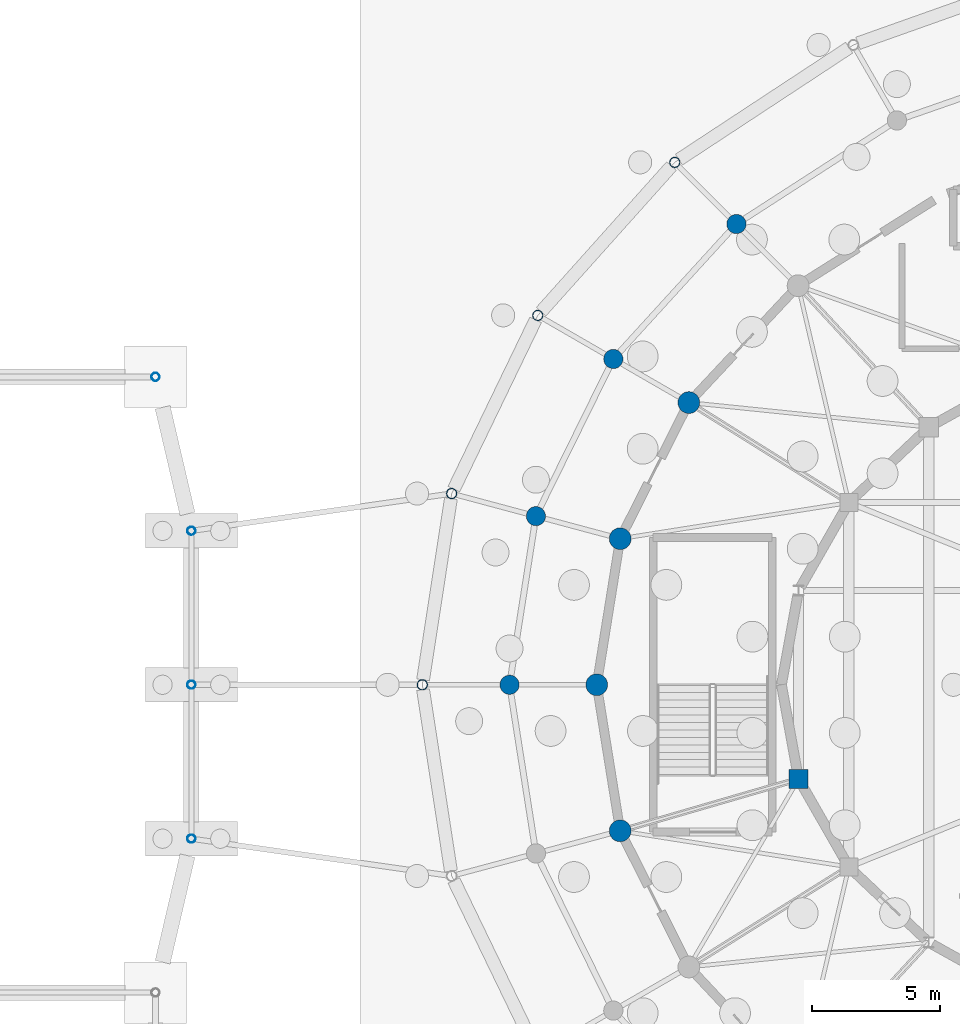
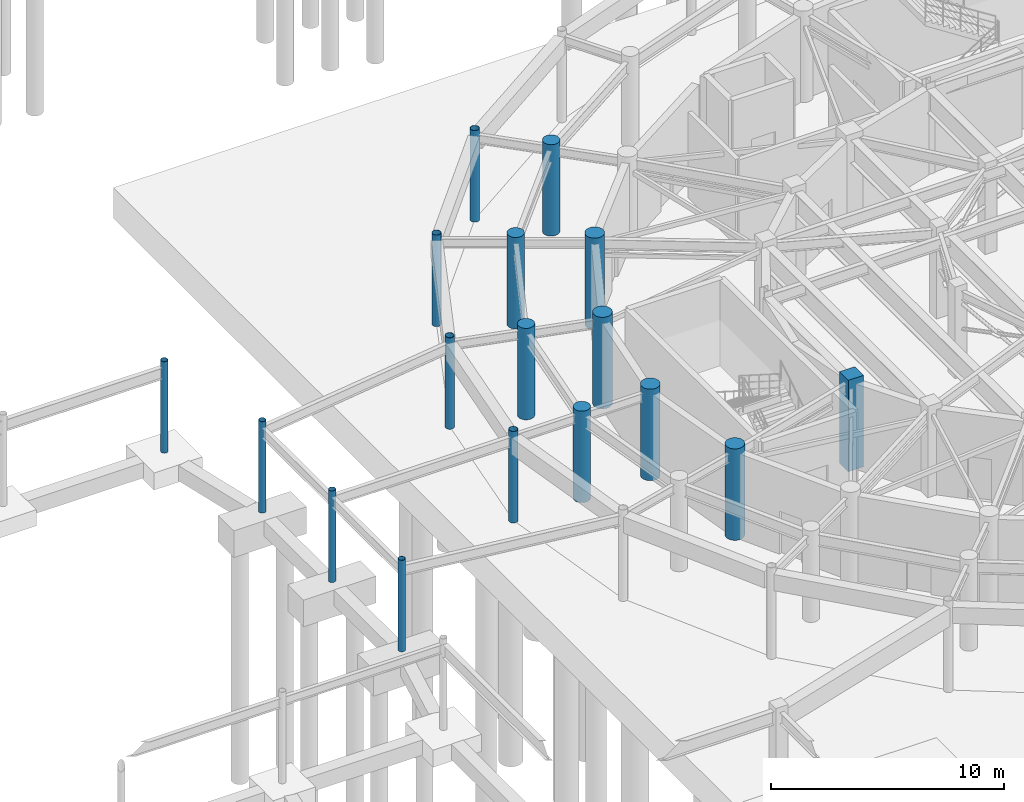
# One storey, part 14 of 68: 17 columns.
"""IFC4 building model written with IfcOpenShell, lengths in metres."""

from ifc_helpers import new_model, si_unit, direction, frame, origin, origin_2d, place, context, subcontext, project, spatial, rectangle, circle, hollow_circle, extrude, material, material_profile, profile_set, type_object, element, save


model = new_model("IFC4")

# Units and contexts
model_context = context("Model", 3, precision=1e-05, world=origin(), true_north=direction((0.0, 1.0)))
body_context = subcontext(model_context, "Body", "Model", "MODEL_VIEW")
ifc_project = project(units=[si_unit("LENGTHUNIT", "METRE"), si_unit("AREAUNIT", "SQUARE_METRE"), si_unit("VOLUMEUNIT", "CUBIC_METRE"), si_unit("PLANEANGLEUNIT", "RADIAN"), si_unit("MASSUNIT", "GRAM", prefix="KILO")], contexts=[model_context])

# Site, building, storey
site_placement = place(None, origin())
site = spatial("IfcSite", under=ifc_project, at=site_placement, CompositionType="ELEMENT")
building_placement = place(site_placement, origin())
building = spatial("IfcBuilding", under=site, at=building_placement, Name="Cinderbank Siding Concert Hall", CompositionType="ELEMENT")
storey_placement = place(building_placement, frame((0.0, 0.0, -4.800048828125)))
storey = spatial("IfcBuildingStorey", under=building, at=storey_placement, Name="B1", CompositionType="ELEMENT", Elevation=-4.800048828125)

# Columns
ifc_material_1 = material(Name="Structural steel hollow section AS/NZS 1163 Grade C350L0 (350 MPa)", Category="steel")
ifc_material_profile_1 = material_profile(ifc_material_1, hollow_circle(Radius=0.161865234375, WallThickness=0.0126953125, at=origin_2d()), Name="323.9x12.7CHS", Category="LoadBearing")
ifc_profile_set_1 = profile_set([ifc_material_profile_1], Name="Structural steel hollow section AS/NZS 1163 Grade C350L0 (350 MPa)")
column_type_1 = type_object("IfcColumnType", Name="C-CHS323 323.9x12.7CHS", PredefinedType="COLUMN", material=ifc_profile_set_1)
for number, where, z_axis, x_axis, name in (
    (1, (79.39990234375, 38.0, 0.0), (0.0, 0.0, 1.0), (1.0, 0.0, 0.0), "B1 Column COL-CNP-01"),
    (2, (79.39990234375, 44.0, 0.0), (0.0, 0.0, 1.0), (1.0, 0.0, 0.0), "B1 Column COL-CNP-02"),
    (3, (79.39990234375, 50.0, 0.0), (0.0, 0.0, 1.0), (1.0, 0.0, 0.0), "B1 Column COL-CNP-03"),
    (4, (78.0, 56.0, 0.0), (0.0, 0.0, 1.0), (1.0, 0.0, 0.0), "B1 Column COL-PAD-06"),
):
    element("IfcColumn", number, at=place(storey_placement, frame(where, z_axis=z_axis, x_axis=x_axis)), inside=storey, type_object=column_type_1, Name=name, PredefinedType="COLUMN", context=body_context, shape_type="SweptSolid", body=[
        extrude(hollow_circle(Radius=0.161865234375, WallThickness=0.0126953125, at=origin_2d()), origin(), (0.0, 0.0, 1.0), 4.800048828125),
    ])
ifc_material_profile_2 = material_profile(ifc_material_1, hollow_circle(Radius=0.203125, WallThickness=0.01611328125, at=origin_2d()), Name="406.4x16.0CHS", Category="LoadBearing")
ifc_profile_set_2 = profile_set([ifc_material_profile_2], Name="Structural steel hollow section AS/NZS 1163 Grade C350L0 (350 MPa)")
column_type_2 = type_object("IfcColumnType", Name="C-CHS406 406.4x16.0CHS", PredefinedType="COLUMN", material=ifc_profile_set_2)
for number, where, z_axis, x_axis, name in (
    (5, (98.240966796875, 64.364990234375, 0.0), (0.0, 0.0, 1.0), (1.0, 0.0, 0.0), "B1 Column COL-E4-10"),
    (6, (92.90087890625, 58.39990234375, 0.0), (0.0, 0.0, 1.0), (1.0, 0.0, 0.0), "B1 Column COL-E4-11"),
    (7, (89.544921875, 51.4541015625, 0.0), (0.0, 0.0, 1.0), (1.0, 0.0, 0.0), "B1 Column COL-E4-12"),
    (8, (88.39990234375, 44.0, 0.0), (0.0, 0.0, 1.0), (1.0, 0.0, 0.0), "B1 Column COL-E4-13"),
):
    element("IfcColumn", number, at=place(storey_placement, frame(where, z_axis=z_axis, x_axis=x_axis)), inside=storey, type_object=column_type_2, Name=name, PredefinedType="COLUMN", context=body_context, shape_type="SweptSolid", body=[
        extrude(hollow_circle(Radius=0.203125, WallThickness=0.01611328125, at=origin_2d()), origin(), (0.0, 0.0, 1.0), 4.800048828125),
    ])
ifc_material_2 = material(Name="Reinforced concrete AS 3600 N50 (50 MPa)", Category="concrete")
ifc_material_profile_3 = material_profile(ifc_material_2, rectangle(XDim=0.75, YDim=0.75, at=origin_2d()), Name="RC-COL-750x750", Category="LoadBearing")
ifc_profile_set_3 = profile_set([ifc_material_profile_3], Name="Reinforced concrete AS 3600 N50 (50 MPa)")
column_type_3 = type_object("IfcColumnType", Name="C-RC750 RC-COL-750x750", PredefinedType="COLUMN", material=ifc_profile_set_3)
column_placement = place(storey_placement, frame((103.068115234375, 40.324951171875, 0.0), z_axis=(0.0, 0.0, 1.0), x_axis=(1.0, 0.0, 0.0)))
element("IfcColumn", 9, at=column_placement, inside=storey, type_object=column_type_3, Name="B1 Column COL-E1-14", PredefinedType="COLUMN", context=body_context, shape_type="SweptSolid", body=[
    extrude(rectangle(XDim=0.75, YDim=0.75, at=origin_2d()), origin(), (0.0, 0.0, 1.0), 4.800048828125),
])
ifc_material_profile_4 = material_profile(ifc_material_2, circle(Radius=0.375, at=origin_2d()), Name="RC-COL-750DIA", Category="LoadBearing")
ifc_profile_set_4 = profile_set([ifc_material_profile_4], Name="Reinforced concrete AS 3600 N50 (50 MPa)")
column_type_4 = type_object("IfcColumnType", Name="C-RCD750 RC-COL-750DIA", PredefinedType="COLUMN", material=ifc_profile_set_4)
for number, where, z_axis, x_axis, name in (
    (10, (100.64501953125, 61.9609375, 0.0), (0.0, 0.0, 1.0), (1.0, 0.0, 0.0), "B1 Column COL-E3-10"),
    (11, (95.845947265625, 56.699951171875, 0.0), (0.0, 0.0, 1.0), (1.0, 0.0, 0.0), "B1 Column COL-E3-11"),
    (12, (92.8291015625, 50.573974609375, 0.0), (0.0, 0.0, 1.0), (1.0, 0.0, 0.0), "B1 Column COL-E3-12"),
    (13, (91.800048828125, 44.0, 0.0), (0.0, 0.0, 1.0), (1.0, 0.0, 0.0), "B1 Column COL-E3-13"),
):
    element("IfcColumn", number, at=place(storey_placement, frame(where, z_axis=z_axis, x_axis=x_axis)), inside=storey, type_object=column_type_4, Name=name, PredefinedType="COLUMN", context=body_context, shape_type="SweptSolid", body=[
        extrude(circle(Radius=0.375, at=origin_2d()), origin(), (0.0, 0.0, 1.0), 4.800048828125),
    ])
ifc_material_profile_5 = material_profile(ifc_material_2, circle(Radius=0.425048828125, at=origin_2d()), Name="RC-COL-850DIA", Category="LoadBearing")
ifc_profile_set_5 = profile_set([ifc_material_profile_5], Name="Reinforced concrete AS 3600 N50 (50 MPa)")
column_type_5 = type_object("IfcColumnType", Name="C-RCD850 RC-COL-850DIA", PredefinedType="COLUMN", material=ifc_profile_set_5)
for number, where, z_axis, x_axis, name in (
    (14, (98.7900390625, 55.0, 0.0), (0.0, 0.0, 1.0), (1.0, 0.0, 0.0), "B1 Column COL-E2-11"),
    (15, (96.113037109375, 49.694091796875, 0.0), (0.0, 0.0, 1.0), (1.0, 0.0, 0.0), "B1 Column COL-E2-12"),
    (16, (95.199951171875, 44.0, 0.0), (0.0, 0.0, 1.0), (1.0, 0.0, 0.0), "B1 Column COL-E2-13"),
    (17, (96.113037109375, 38.305908203125, 0.0), (0.0, 0.0, 1.0), (1.0, 0.0, 0.0), "B1 Column COL-E2-14"),
):
    element("IfcColumn", number, at=place(storey_placement, frame(where, z_axis=z_axis, x_axis=x_axis)), inside=storey, type_object=column_type_5, Name=name, PredefinedType="COLUMN", context=body_context, shape_type="SweptSolid", body=[
        extrude(circle(Radius=0.425048828125, at=origin_2d()), origin(), (0.0, 0.0, 1.0), 4.800048828125),
    ])

save(model, "model.ifc")
